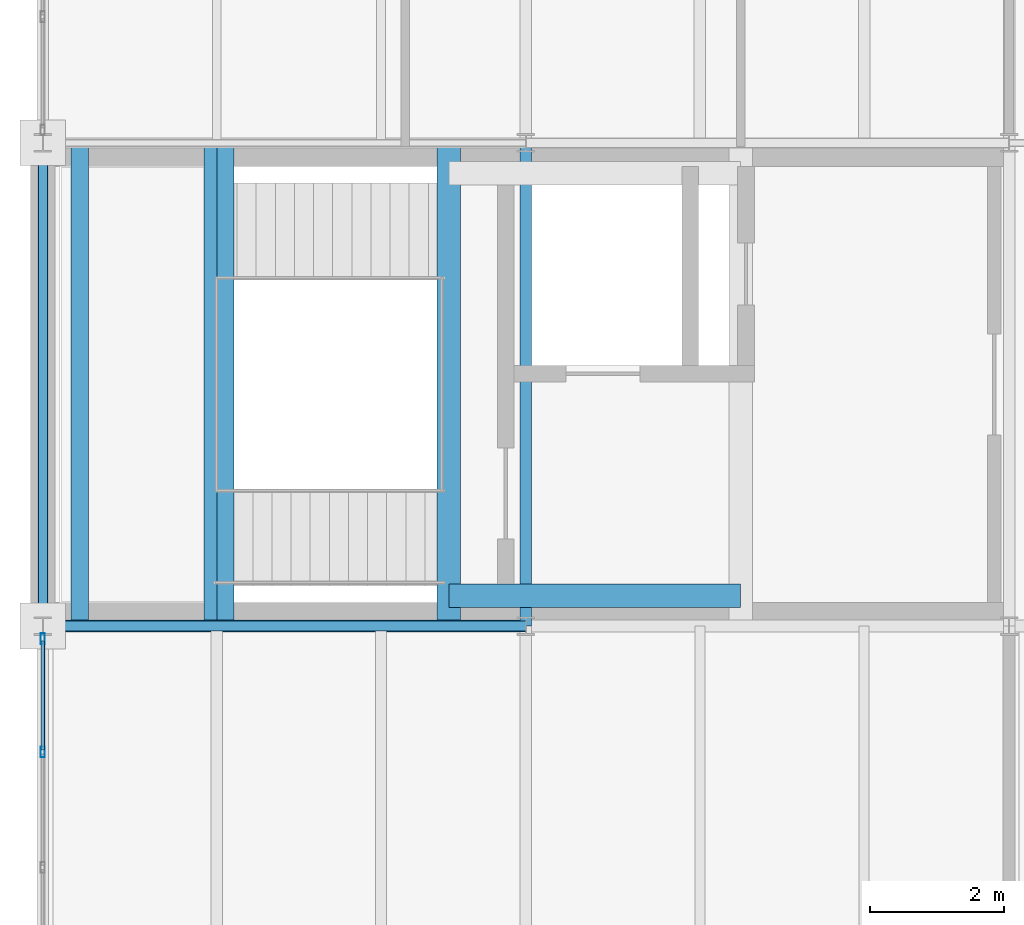
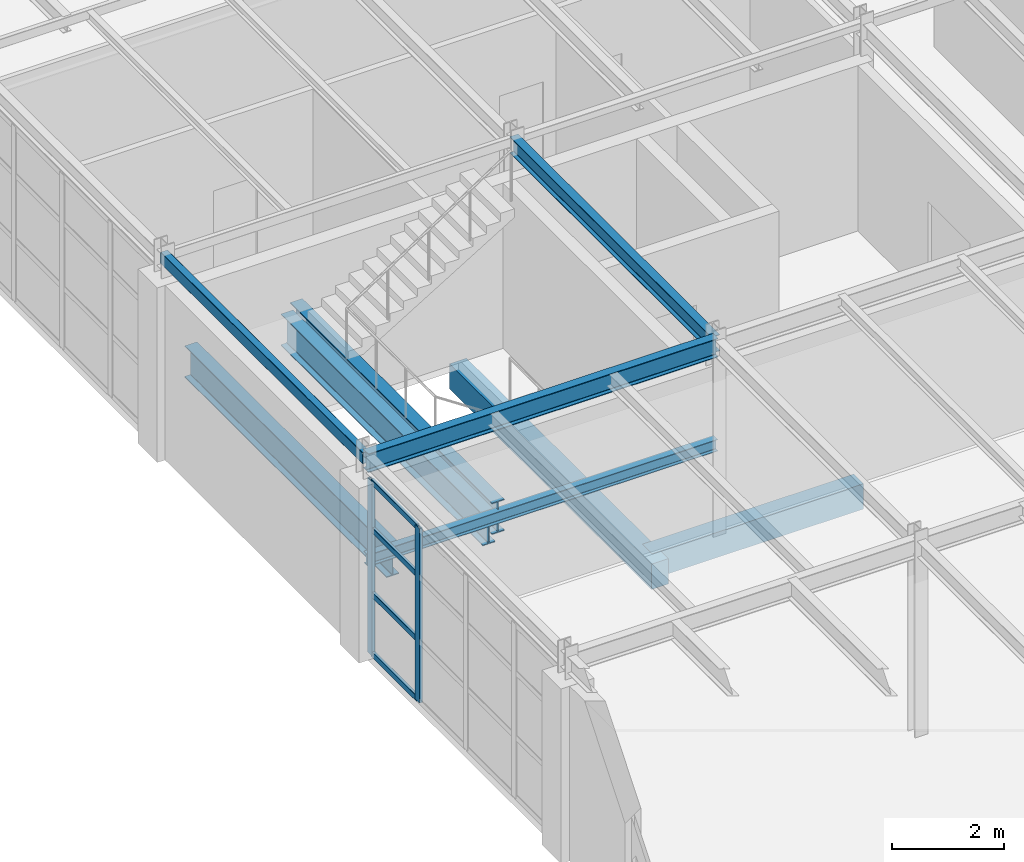
# One storey, part 38 of 101: 9 beams, 6 members, 1 element without a shape of its own.
"""IFC4 building model written with IfcOpenShell, lengths in metres."""

from ifc_helpers import new_model, si_unit, direction, frame, origin, origin_2d, place, context, subcontext, project, spatial, rectangle, hollow_rectangle, i_section, extrude, material, layer, layer_set, material_profile, profile_set, type_object, element, aggregate, save


model = new_model("IFC4")

# Units and contexts
model_context = context("Model", 3, precision=1e-05, world=origin(), true_north=direction((0.0, 1.0)))
body_context = subcontext(model_context, "Body", "Model", "MODEL_VIEW")
ifc_project = project(units=[si_unit("LENGTHUNIT", "METRE"), si_unit("AREAUNIT", "SQUARE_METRE"), si_unit("VOLUMEUNIT", "CUBIC_METRE"), si_unit("PLANEANGLEUNIT", "RADIAN"), si_unit("MASSUNIT", "GRAM", prefix="KILO")], contexts=[model_context])

# Site, building, storey
site_placement = place(None, origin())
site = spatial("IfcSite", under=ifc_project, at=site_placement, CompositionType="ELEMENT")
building_placement = place(site_placement, origin())
building = spatial("IfcBuilding", under=site, at=building_placement, Name="Kemerveld Promenade Tramway Depot", CompositionType="ELEMENT")
storey_placement = place(building_placement, frame((0.0, 0.0, 9.89990234375)))
storey = spatial("IfcBuildingStorey", under=building, at=storey_placement, Name="L02", CompositionType="ELEMENT", Elevation=9.89990234375)

# Beams
ifc_material_1 = material(Name="Steel S355", Category="steel")
ifc_material_profile_1 = material_profile(ifc_material_1, i_section(OverallWidth=0.25439453125, OverallDepth=0.6875, WebThickness=0.01318359375, FlangeThickness=0.02099609375, FilletRadius=0.01513671875, at=origin_2d()), Name="686x254x152 UB")
ifc_profile_set_1 = profile_set([ifc_material_profile_1], Name="Steel S355")
beam_type_1 = type_object("IfcBeamType", Name="BM-G03", PredefinedType="BEAM", material=ifc_profile_set_1)
for number, where, z_axis, x_axis, name in (
    (1, (0.550048828125, 43.199951171875, 1.726318359375), (0.0, 1.0, 0.0), (-1.0, 0.0, 0.0), "BM-HL-ST-02-L02-W"),
    (2, (2.530029296875, 43.199951171875, 1.726318359375), (0.0, 1.0, 0.0), (-1.0, 0.0, 0.0), "BM-HL-ST-02-L02-M"),
    (3, (2.719970703125, 43.199951171875, 1.906494140625), (0.0, 1.0, 0.0), (-1.0, 0.0, 0.0), "BM-HL-ST-02-L02-F2"),
):
    element("IfcBeam", number, at=place(storey_placement, frame(where, z_axis=z_axis, x_axis=x_axis)), inside=storey, type_object=beam_type_1, Name=name, PredefinedType="BEAM", context=body_context, shape_type="SweptSolid", body=[
        extrude(i_section(OverallWidth=0.25439453125, OverallDepth=0.6875, WebThickness=0.01318359375, FlangeThickness=0.02099609375, FilletRadius=0.01513671875, at=origin_2d()), origin(), (0.0, 0.0, 1.0), 7.199951171875),
    ])
ifc_material_profile_2 = material_profile(ifc_material_1, i_section(OverallWidth=0.1787109375, OverallDepth=0.409423828125, WebThickness=0.0087890625, FlangeThickness=0.014404296875, FilletRadius=0.01025390625, at=origin_2d()), Name="406x178x67 UB")
ifc_profile_set_2 = profile_set([ifc_material_profile_2], Name="Steel S355")
beam_type_2 = type_object("IfcBeamType", Name="BM-G07", PredefinedType="BEAM", material=ifc_profile_set_2)
beam_1_placement = place(storey_placement, frame((0.0, 43.199951171875, 4.075439453125), z_axis=(1.0, 0.0, 0.0), x_axis=(0.0, 1.0, 0.0)))
element("IfcBeam", 4, at=beam_1_placement, inside=storey, type_object=beam_type_2, Name="BMX-L02-01-02-G", PredefinedType="BEAM", context=body_context, shape_type="SweptSolid", body=[
    extrude(i_section(OverallWidth=0.1787109375, OverallDepth=0.409423828125, WebThickness=0.0087890625, FlangeThickness=0.014404296875, FilletRadius=0.01025390625, at=origin_2d()), origin(), (0.0, 0.0, 1.0), 7.199951171875),
])
ifc_material_profile_3 = material_profile(ifc_material_1, i_section(OverallWidth=0.172119140625, OverallDepth=0.35791015625, WebThickness=0.008056640625, FlangeThickness=0.012939453125, FilletRadius=0.01025390625, at=origin_2d()), Name="356x171x57 UB")
ifc_profile_set_3 = profile_set([ifc_material_profile_3], Name="Steel S355")
beam_type_3 = type_object("IfcBeamType", Name="BM-G08", PredefinedType="BEAM", material=ifc_profile_set_3)
beam_2_placement = place(storey_placement, frame((7.199951171875, 43.199951171875, 4.10107421875), z_axis=(0.0, 1.0, 0.0), x_axis=(-1.0, 0.0, 0.0)))
element("IfcBeam", 5, at=beam_2_placement, inside=storey, type_object=beam_type_3, Name="BMY-L02-02-G-H", PredefinedType="BEAM", context=body_context, shape_type="SweptSolid", body=[
    extrude(i_section(OverallWidth=0.172119140625, OverallDepth=0.35791015625, WebThickness=0.008056640625, FlangeThickness=0.012939453125, FilletRadius=0.01025390625, at=origin_2d()), origin(), (0.0, 0.0, 1.0), 7.199951171875),
])
ifc_material_profile_4 = material_profile(ifc_material_1, i_section(OverallWidth=0.146484375, OverallDepth=0.256103515625, WebThickness=0.00634765625, FlangeThickness=0.010986328125, FilletRadius=0.007568359375, at=origin_2d()), Name="254x146x37 UB")
ifc_profile_set_4 = profile_set([ifc_material_profile_4], Name="Steel S355")
beam_type_4 = type_object("IfcBeamType", Name="BM-J02", PredefinedType="JOIST", material=ifc_profile_set_4)
beam_3_placement = place(storey_placement, frame((0.0, 43.199951171875, 1.942138671875), z_axis=(1.0, 0.0, 0.0), x_axis=(0.0, 1.0, 0.0)))
element("IfcBeam", 6, at=beam_3_placement, inside=storey, type_object=beam_type_4, Name="BM-HLY-ST-02-L02-S", PredefinedType="JOIST", context=body_context, shape_type="SweptSolid", body=[
    extrude(i_section(OverallWidth=0.146484375, OverallDepth=0.256103515625, WebThickness=0.00634765625, FlangeThickness=0.010986328125, FilletRadius=0.007568359375, at=origin_2d()), origin(), (0.0, 0.0, 1.0), 7.199951171875),
])
ifc_material_2 = material(Name="Concrete C40/50", Category="concrete")
ifc_material_profile_5 = material_profile(ifc_material_2, rectangle(XDim=0.35009765625, YDim=0.550048828125, at=origin_2d()), Name="RC-BM-350x550")
ifc_profile_set_5 = profile_set([ifc_material_profile_5], Name="Concrete C40/50")
beam_type_5 = type_object("IfcBeamType", Name="BM-RC3", PredefinedType="BEAM", material=ifc_profile_set_5)
beam_4_placement = place(storey_placement, frame((6.050048828125, 43.199951171875, -0.5048828125), z_axis=(0.0, 1.0, 0.0), x_axis=(-1.0, 0.0, 0.0)))
element("IfcBeam", 7, at=beam_4_placement, inside=storey, type_object=beam_type_5, Name="BM-CORE-C2-L02-W", PredefinedType="BEAM", context=body_context, shape_type="SweptSolid", body=[
    extrude(rectangle(XDim=0.35009765625, YDim=0.550048828125, at=origin_2d()), origin(), (0.0, 0.0, 1.0), 7.199951171875),
])
beam_5_placement = place(storey_placement, frame((6.050048828125, 43.64990234375, -0.5048828125), z_axis=(1.0, 0.0, 0.0), x_axis=(0.0, 1.0, 0.0)))
element("IfcBeam", 8, at=beam_5_placement, inside=storey, type_object=beam_type_5, Name="BM-COREX-C2-L02-S", PredefinedType="BEAM", context=body_context, shape_type="SweptSolid", body=[
    extrude(rectangle(XDim=0.35009765625, YDim=0.550048828125, at=origin_2d()), origin(), (0.0, 0.0, 1.0), 4.349853515625),
])
ifc_material_profile_6 = material_profile(ifc_material_1, hollow_rectangle(XDim=0.14990234375, YDim=0.25, WallThickness=0.010009765625, InnerFilletRadius=0.0048828125, OuterFilletRadius=0.014892578125, at=origin_2d()), Name="250x150x10.0 RHS")
ifc_profile_set_6 = profile_set([ifc_material_profile_6], Name="Steel S355")
beam_type_6 = type_object("IfcBeamType", Name="BM-SP2", PredefinedType="SPANDREL", material=ifc_profile_set_6)
beam_6_placement = place(storey_placement, frame((0.0, 43.199951171875, 4.155029296875), z_axis=(0.0, 1.0, 0.0), x_axis=(-1.0, 0.0, 0.0)))
element("IfcBeam", 9, at=beam_6_placement, inside=storey, type_object=beam_type_6, Name="BMY-L02-01-G-H", PredefinedType="SPANDREL", context=body_context, shape_type="SweptSolid", body=[
    extrude(hollow_rectangle(XDim=0.14990234375, YDim=0.25, WallThickness=0.010009765625, InnerFilletRadius=0.0048828125, OuterFilletRadius=0.014892578125, at=origin_2d()), origin(), (0.0, 0.0, 1.0), 7.199951171875),
])

# Curtain wall, members
ifc_material_3 = material(Name="Bronze anodised aluminium and solar glass", Category="aluminium")
ifc_layer = layer(ifc_material_3, 0.159912109375)
ifc_layer_set = layer_set([ifc_layer], Name="CW-SYS-09")
curtain_wall_type = type_object("IfcCurtainWallType", Name="CW-SYS-09", PredefinedType="USERDEFINED", material=ifc_layer_set)
curtain_wall_placement = place(storey_placement, origin())
curtain_wall = element("IfcCurtainWall", 10, at=curtain_wall_placement, inside=storey, type_object=curtain_wall_type, Name="CW-L02-V5W-06", ObjectType="GLAZED_CURTAIN_WALL", PredefinedType="USERDEFINED")
ifc_material_4 = material(Name="Bronze anodised aluminium", Category="aluminium")
ifc_material_profile_7 = material_profile(ifc_material_4, hollow_rectangle(XDim=0.06494140625, YDim=0.159912109375, WallThickness=0.00390625, InnerFilletRadius=0.001953125, OuterFilletRadius=0.00390625, at=origin_2d()), Name="CW-MUL-160x65")
ifc_profile_set_7 = profile_set([ifc_material_profile_7], Name="Bronze anodised aluminium")
member_type_1 = type_object("IfcMemberType", Name="CW-MUL-A", PredefinedType="MULLION", material=ifc_profile_set_7)
member_1_placement = place(storey_placement, frame((0.0, 41.321044921875, 0.0), z_axis=(0.0, 0.0, 1.0), x_axis=(-1.0, 0.0, 0.0)))
member_1 = element("IfcMember", 11, at=member_1_placement, type_object=member_type_1, Name="CW09 mullion 4", PredefinedType="MULLION", context=body_context, shape_type="SweptSolid", body=[
    extrude(hollow_rectangle(XDim=0.06494140625, YDim=0.159912109375, WallThickness=0.00390625, InnerFilletRadius=0.001953125, OuterFilletRadius=0.00390625, at=origin_2d()), origin(), (0.0, 0.0, 1.0), 3.800048828125),
])
member_2_placement = place(storey_placement, frame((0.0, 43.009521484375, 0.0), z_axis=(0.0, 0.0, 1.0), x_axis=(-1.0, 0.0, 0.0)))
member_2 = element("IfcMember", 12, at=member_2_placement, type_object=member_type_1, Name="CW09 mullion 5", PredefinedType="MULLION", context=body_context, shape_type="SweptSolid", body=[
    extrude(hollow_rectangle(XDim=0.06494140625, YDim=0.159912109375, WallThickness=0.00390625, InnerFilletRadius=0.001953125, OuterFilletRadius=0.00390625, at=origin_2d()), origin(), (0.0, 0.0, 1.0), 3.800048828125),
])
ifc_material_profile_8 = material_profile(ifc_material_4, hollow_rectangle(XDim=0.06005859375, YDim=0.1201171875, WallThickness=0.00390625, InnerFilletRadius=0.001953125, OuterFilletRadius=0.00390625, at=origin_2d()), Name="CW-TRN-120x60")
ifc_profile_set_8 = profile_set([ifc_material_profile_8], Name="Bronze anodised aluminium")
member_type_2 = type_object("IfcMemberType", Name="CW-TRN-A", PredefinedType="USERDEFINED", material=ifc_profile_set_8)
member_3_placement = place(storey_placement, frame((0.0, 41.353515625, 0.030029296875), z_axis=(0.0, 1.0, 0.0), x_axis=(-1.0, 0.0, 0.0)))
member_3 = element("IfcMember", 13, at=member_3_placement, type_object=member_type_2, Name="CW09 transom 4.1", ObjectType="TRANSOM", PredefinedType="USERDEFINED", context=body_context, shape_type="SweptSolid", body=[
    extrude(hollow_rectangle(XDim=0.06005859375, YDim=0.1201171875, WallThickness=0.00390625, InnerFilletRadius=0.001953125, OuterFilletRadius=0.00390625, at=origin_2d()), origin(), (0.0, 0.0, 1.0), 1.623291015625),
])
member_4_placement = place(storey_placement, frame((0.0, 41.353515625, 1.330078125), z_axis=(0.0, 1.0, 0.0), x_axis=(-1.0, 0.0, 0.0)))
member_4 = element("IfcMember", 14, at=member_4_placement, type_object=member_type_2, Name="CW09 transom 4.2", ObjectType="TRANSOM", PredefinedType="USERDEFINED", context=body_context, shape_type="SweptSolid", body=[
    extrude(hollow_rectangle(XDim=0.06005859375, YDim=0.1201171875, WallThickness=0.00390625, InnerFilletRadius=0.001953125, OuterFilletRadius=0.00390625, at=origin_2d()), origin(), (0.0, 0.0, 1.0), 1.623291015625),
])
member_5_placement = place(storey_placement, frame((0.0, 41.353515625, 2.736083984375), z_axis=(0.0, 1.0, 0.0), x_axis=(-1.0, 0.0, 0.0)))
member_5 = element("IfcMember", 15, at=member_5_placement, type_object=member_type_2, Name="CW09 transom 4.3", ObjectType="TRANSOM", PredefinedType="USERDEFINED", context=body_context, shape_type="SweptSolid", body=[
    extrude(hollow_rectangle(XDim=0.06005859375, YDim=0.1201171875, WallThickness=0.00390625, InnerFilletRadius=0.001953125, OuterFilletRadius=0.00390625, at=origin_2d()), origin(), (0.0, 0.0, 1.0), 1.623291015625),
])
member_6_placement = place(storey_placement, frame((0.0, 41.353515625, 3.77001953125), z_axis=(0.0, 1.0, 0.0), x_axis=(-1.0, 0.0, 0.0)))
member_6 = element("IfcMember", 16, at=member_6_placement, type_object=member_type_2, Name="CW09 transom 4.4", ObjectType="TRANSOM", PredefinedType="USERDEFINED", context=body_context, shape_type="SweptSolid", body=[
    extrude(hollow_rectangle(XDim=0.06005859375, YDim=0.1201171875, WallThickness=0.00390625, InnerFilletRadius=0.001953125, OuterFilletRadius=0.00390625, at=origin_2d()), origin(), (0.0, 0.0, 1.0), 1.623291015625),
])
aggregate(curtain_wall, [member_1, member_2, member_3, member_4, member_5, member_6])

save(model, "model.ifc")
